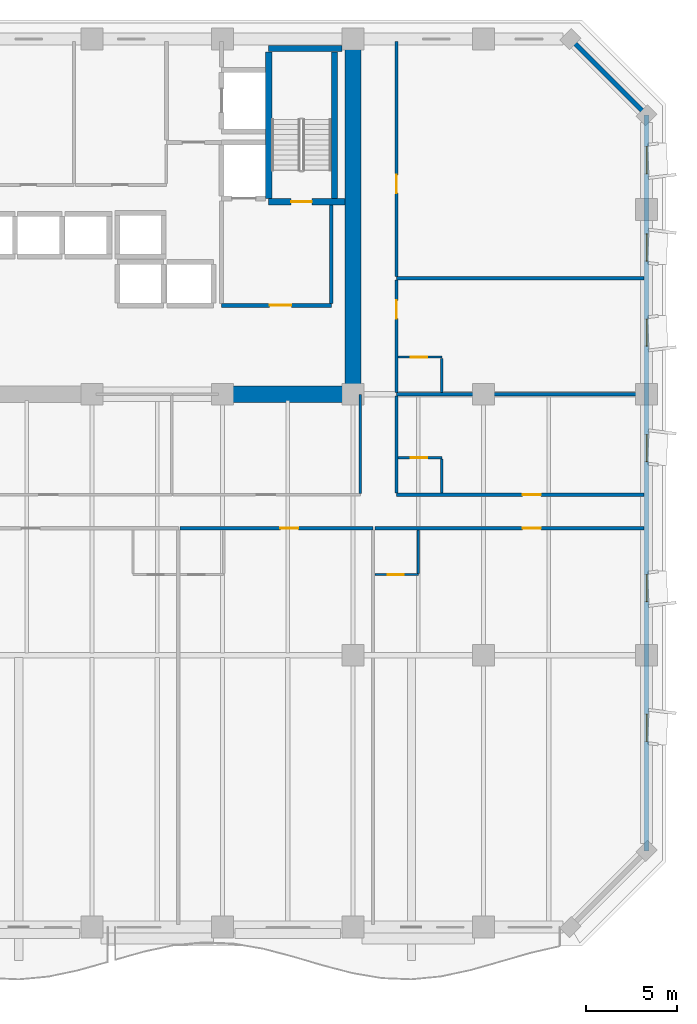
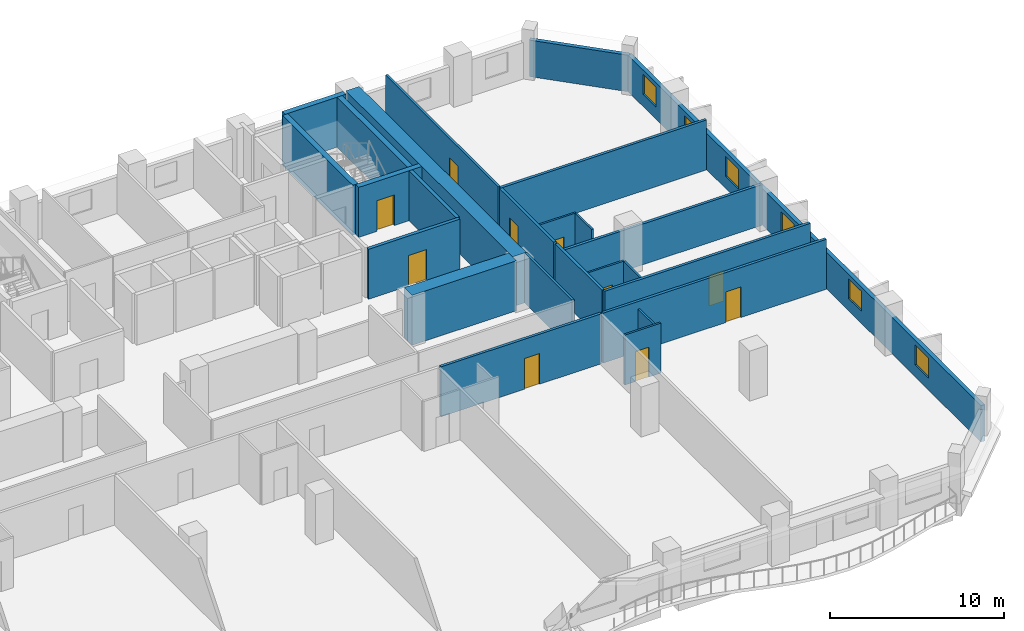
# One storey, part 10 of 15: 25 walls, 10 doors, 6 windows, 16 openings.
"""IFC4 building model written with IfcOpenShell, lengths in metres."""

from ifc_helpers import new_model, si_unit, direction, frame, frame_2d, origin, place, context, subcontext, project, spatial, rectangle, extrude, material, layer, layer_set, type_object, element, fill, save


model = new_model("IFC4")

# Units and contexts
model_context = context("Model", 3, precision=1e-05, world=origin(), true_north=direction((0.0, 1.0)))
body_context = subcontext(model_context, "Body", "Model", "MODEL_VIEW")
ifc_project = project(units=[si_unit("LENGTHUNIT", "METRE"), si_unit("AREAUNIT", "SQUARE_METRE"), si_unit("VOLUMEUNIT", "CUBIC_METRE"), si_unit("PLANEANGLEUNIT", "RADIAN"), si_unit("MASSUNIT", "GRAM", prefix="KILO")], contexts=[model_context])

# Site, building, storey
site_placement = place(None, origin())
site = spatial("IfcSite", under=ifc_project, at=site_placement, CompositionType="ELEMENT")
building_placement = place(site_placement, origin())
building = spatial("IfcBuilding", under=site, at=building_placement, Name="Kaelvorn Grand Hotel", CompositionType="ELEMENT")
storey_placement = place(building_placement, frame((0.0, 0.0, 104.300048828125)))
storey = spatial("IfcBuildingStorey", under=building, at=storey_placement, Name="L24", CompositionType="ELEMENT", Elevation=104.300048828125)

# Walls
ifc_material_1 = material(Name="Concrete C60/75", Category="concrete")
ifc_layer_1 = layer(ifc_material_1, 0.89990234375)
ifc_layer_set_1 = layer_set([ifc_layer_1], Name="Concrete C60/75")
wall_type_1 = type_object("IfcWallType", Name="WL-CORE-900-C60", PredefinedType="SHEAR", material=ifc_layer_set_1)
wall_1_placement = place(storey_placement, frame((67.800048828125, 29.39990234375, 0.0), z_axis=(0.0, 0.0, 1.0), x_axis=(0.0, 1.0, 0.0)))
element("IfcWall", 1, at=wall_1_placement, inside=storey, type_object=wall_type_1, Name="L24 Rear-Core East Shear Wall", PredefinedType="SHEAR", context=body_context, shape_type="SweptSolid", body=[
    extrude(rectangle(XDim=19.2001953125, YDim=0.89990234375, at=frame_2d((9.60009765625, 0.0))), origin(), (0.0, 0.0, 1.0), 3.510009765625),
])
wall_2_placement = place(storey_placement, frame((60.39990234375, 29.39990234375, 0.0), z_axis=(0.0, 0.0, 1.0), x_axis=(1.0, 0.0, 0.0)))
element("IfcWall", 2, at=wall_2_placement, inside=storey, type_object=wall_type_1, Name="L24 Rear-Core Coupled Shear Pier S4", PredefinedType="SHEAR", context=body_context, shape_type="SweptSolid", body=[
    extrude(rectangle(XDim=6.945068359375, YDim=0.89990234375, at=frame_2d((3.47265625, 0.0))), origin(), (0.0, 0.0, 1.0), 3.510009765625),
])

# Wall, openings, windows
ifc_material_2 = material(Name="Concrete C40/50", Category="concrete")
ifc_layer_2 = layer(ifc_material_2, 0.260009765625)
ifc_layer_set_2 = layer_set([ifc_layer_2], Name="Concrete C40/50")
wall_type_2 = type_object("IfcWallType", Name="WL-EXT-260-C40", PredefinedType="SOLIDWALL", material=ifc_layer_set_2)
wall_3_placement = place(storey_placement, frame((84.0, 4.199951171875, 0.0), z_axis=(0.0, 0.0, 1.0), x_axis=(0.0, 1.0, 0.0)))
wall_3 = element("IfcWall", 3, at=wall_3_placement, inside=storey, type_object=wall_type_2, Name="L24 Exterior Architectural Concrete Wall 03", PredefinedType="SOLIDWALL", context=body_context, shape_type="SweptSolid", body=[
    extrude(rectangle(XDim=40.60009765625, YDim=0.260009765625, at=frame_2d((20.300048828125, 0.0))), origin(), (0.0, 0.0, 1.0), 2.56005859375),
])
opening_1_placement = place(wall_3_placement, frame((6.050048828125, 0.0, 0.85009765625)))
opening_1 = element("IfcOpeningElement", 4, at=opening_1_placement, cuts=wall_3, Name="Opening W10", PredefinedType="OPENING", context=body_context, shape_type="SweptSolid", body=[
    extrude(rectangle(XDim=1.5, YDim=1.39990234375, at=frame_2d((0.75, 0.699951171875))), frame((0.0, 0.14013671875, 0.0), z_axis=(0.0, -1.0, 0.0), x_axis=(1.0, 0.0, 0.0)), (0.0, 0.0, 1.0), 0.280029296875),
])
opening_2_placement = place(wall_3_placement, frame((13.75, 0.0, 0.85009765625)))
opening_2 = element("IfcOpeningElement", 5, at=opening_2_placement, cuts=wall_3, Name="Opening W10", PredefinedType="OPENING", context=body_context, shape_type="SweptSolid", body=[
    extrude(rectangle(XDim=1.5, YDim=1.39990234375, at=frame_2d((0.75, 0.699951171875))), frame((0.0, 0.14013671875, 0.0), z_axis=(0.0, -1.0, 0.0), x_axis=(1.0, 0.0, 0.0)), (0.0, 0.0, 1.0), 0.280029296875),
])
opening_3_placement = place(wall_3_placement, frame((21.47509765625, 0.0, 0.85009765625)))
opening_3 = element("IfcOpeningElement", 6, at=opening_3_placement, cuts=wall_3, Name="Opening W10", PredefinedType="OPENING", context=body_context, shape_type="SweptSolid", body=[
    extrude(rectangle(XDim=1.5, YDim=1.39990234375, at=frame_2d((0.75, 0.699951171875))), frame((0.0, 0.14013671875, 0.0), z_axis=(0.0, -1.0, 0.0), x_axis=(1.0, 0.0, 0.0)), (0.0, 0.0, 1.0), 0.280029296875),
])
opening_4_placement = place(wall_3_placement, frame((27.85009765625, 0.0, 0.85009765625)))
opening_4 = element("IfcOpeningElement", 7, at=opening_4_placement, cuts=wall_3, Name="Opening W10", PredefinedType="OPENING", context=body_context, shape_type="SweptSolid", body=[
    extrude(rectangle(XDim=1.5, YDim=1.39990234375, at=frame_2d((0.75, 0.699951171875))), frame((0.0, 0.14013671875, 0.0), z_axis=(0.0, -1.0, 0.0), x_axis=(1.0, 0.0, 0.0)), (0.0, 0.0, 1.0), 0.280029296875),
])
opening_5_placement = place(wall_3_placement, frame((32.550048828125, 0.0, 0.85009765625)))
opening_5 = element("IfcOpeningElement", 8, at=opening_5_placement, cuts=wall_3, Name="Opening W10", PredefinedType="OPENING", context=body_context, shape_type="SweptSolid", body=[
    extrude(rectangle(XDim=1.5, YDim=1.39990234375, at=frame_2d((0.75, 0.699951171875))), frame((0.0, 0.14013671875, 0.0), z_axis=(0.0, -1.0, 0.0), x_axis=(1.0, 0.0, 0.0)), (0.0, 0.0, 1.0), 0.280029296875),
])
opening_6_placement = place(wall_3_placement, frame((37.364990234375, 0.0, 0.85009765625)))
opening_6 = element("IfcOpeningElement", 9, at=opening_6_placement, cuts=wall_3, Name="Opening W10", PredefinedType="OPENING", context=body_context, shape_type="SweptSolid", body=[
    extrude(rectangle(XDim=1.5, YDim=1.39990234375, at=frame_2d((0.75, 0.699951171875))), frame((0.0, 0.14013671875, 0.0), z_axis=(0.0, -1.0, 0.0), x_axis=(1.0, 0.0, 0.0)), (0.0, 0.0, 1.0), 0.280029296875),
])
ifc_material_3 = material(Name="Laminated Low-E Glass", Category="glass")
window_type = type_object("IfcWindowType", Name="WIN-COR-1500x1400", PartitioningType="SINGLE_PANEL", PredefinedType="WINDOW", material=ifc_material_3)
window_1_placement = place(opening_1_placement, origin())
window_1 = element("IfcWindow", 10, at=window_1_placement, inside=storey, type_object=window_type, Name="L24 E Wing Tilted-Frame Ribbon Window E01", OverallHeight=1.39990234375, OverallWidth=1.5, PartitioningType="SINGLE_PANEL", PredefinedType="WINDOW", context=body_context, shape_type="SweptSolid", body=[
    extrude(rectangle(XDim=1.5, YDim=1.39990234375, at=frame_2d((0.75, 0.699951171875))), frame((0.0, 0.030029296875, 0.0), z_axis=(0.0, -1.0, 0.0), x_axis=(1.0, 0.0, 0.0)), (0.0, 0.0, 1.0), 0.06005859375),
])
fill(opening_1, window_1)
window_2_placement = place(opening_2_placement, origin())
window_2 = element("IfcWindow", 11, at=window_2_placement, inside=storey, type_object=window_type, Name="L24 E Wing Tilted-Frame Ribbon Window E02", OverallHeight=1.39990234375, OverallWidth=1.5, PartitioningType="SINGLE_PANEL", PredefinedType="WINDOW", context=body_context, shape_type="SweptSolid", body=[
    extrude(rectangle(XDim=1.5, YDim=1.39990234375, at=frame_2d((0.75, 0.699951171875))), frame((0.0, 0.030029296875, 0.0), z_axis=(0.0, -1.0, 0.0), x_axis=(1.0, 0.0, 0.0)), (0.0, 0.0, 1.0), 0.06005859375),
])
fill(opening_2, window_2)
window_3_placement = place(opening_3_placement, origin())
window_3 = element("IfcWindow", 12, at=window_3_placement, inside=storey, type_object=window_type, Name="L24 E Wing Tilted-Frame Ribbon Window E03", OverallHeight=1.39990234375, OverallWidth=1.5, PartitioningType="SINGLE_PANEL", PredefinedType="WINDOW", context=body_context, shape_type="SweptSolid", body=[
    extrude(rectangle(XDim=1.5, YDim=1.39990234375, at=frame_2d((0.75, 0.699951171875))), frame((0.0, 0.030029296875, 0.0), z_axis=(0.0, -1.0, 0.0), x_axis=(1.0, 0.0, 0.0)), (0.0, 0.0, 1.0), 0.06005859375),
])
fill(opening_3, window_3)
window_4_placement = place(opening_4_placement, origin())
window_4 = element("IfcWindow", 13, at=window_4_placement, inside=storey, type_object=window_type, Name="L24 E Wing Tilted-Frame Ribbon Window E04", OverallHeight=1.39990234375, OverallWidth=1.5, PartitioningType="SINGLE_PANEL", PredefinedType="WINDOW", context=body_context, shape_type="SweptSolid", body=[
    extrude(rectangle(XDim=1.5, YDim=1.39990234375, at=frame_2d((0.75, 0.699951171875))), frame((0.0, 0.030029296875, 0.0), z_axis=(0.0, -1.0, 0.0), x_axis=(1.0, 0.0, 0.0)), (0.0, 0.0, 1.0), 0.06005859375),
])
fill(opening_4, window_4)
window_5_placement = place(opening_5_placement, origin())
window_5 = element("IfcWindow", 14, at=window_5_placement, inside=storey, type_object=window_type, Name="L24 E Wing Tilted-Frame Ribbon Window E05", OverallHeight=1.39990234375, OverallWidth=1.5, PartitioningType="SINGLE_PANEL", PredefinedType="WINDOW", context=body_context, shape_type="SweptSolid", body=[
    extrude(rectangle(XDim=1.5, YDim=1.39990234375, at=frame_2d((0.75, 0.699951171875))), frame((0.0, 0.030029296875, 0.0), z_axis=(0.0, -1.0, 0.0), x_axis=(1.0, 0.0, 0.0)), (0.0, 0.0, 1.0), 0.06005859375),
])
fill(opening_5, window_5)
window_6_placement = place(opening_6_placement, origin())
window_6 = element("IfcWindow", 15, at=window_6_placement, inside=storey, type_object=window_type, Name="L24 E Wing Tilted-Frame Ribbon Window E06", OverallHeight=1.39990234375, OverallWidth=1.5, PartitioningType="SINGLE_PANEL", PredefinedType="WINDOW", context=body_context, shape_type="SweptSolid", body=[
    extrude(rectangle(XDim=1.5, YDim=1.39990234375, at=frame_2d((0.75, 0.699951171875))), frame((0.0, 0.030029296875, 0.0), z_axis=(0.0, -1.0, 0.0), x_axis=(1.0, 0.0, 0.0)), (0.0, 0.0, 1.0), 0.06005859375),
])
fill(opening_6, window_6)

# Wall
wall_4_placement = place(storey_placement, frame((84.0, 44.800048828125, 0.0), z_axis=(0.0, 0.0, 1.0), x_axis=(-0.707106781187, 0.707106781187, 0.0)))
element("IfcWall", 16, at=wall_4_placement, inside=storey, type_object=wall_type_2, Name="L24 Exterior Architectural Concrete Wall 04", PredefinedType="SOLIDWALL", context=body_context, shape_type="SweptSolid", body=[
    extrude(rectangle(XDim=5.939697265625, YDim=0.260009765625, at=frame_2d((2.9697265625, 0.0))), origin(), (0.0, 0.0, 1.0), 2.56005859375),
])

# Wall, opening, door
ifc_material_4 = material(Name="Moisture-Resistant Tile & Stud Board")
ifc_layer_3 = layer(ifc_material_4, 0.125)
ifc_layer_set_3 = layer_set([ifc_layer_3], Name="Moisture-Resistant Tile & Stud Board")
wall_type_3 = type_object("IfcWallType", Name="WL-PART-125-WET", PredefinedType="PARTITIONING", material=ifc_layer_set_3)
wall_5_placement = place(storey_placement, frame((69.00244140625, 19.449951171875, 0.0), z_axis=(0.0, 0.0, 1.0), x_axis=(1.0, 0.0, 0.0)))
wall_5 = element("IfcWall", 17, at=wall_5_placement, inside=storey, type_object=wall_type_3, Name="L24 En-suite Bathroom L24-07 S Partition", PredefinedType="PARTITIONING", context=body_context, shape_type="SweptSolid", body=[
    extrude(rectangle(XDim=2.405029296875, YDim=0.125, at=frame_2d((1.20263671875, 0.0))), origin(), (0.0, 0.0, 1.0), 3.510009765625),
])
opening_7_placement = place(wall_5_placement, frame((0.705078125, 0.0, 0.0)))
opening_7 = element("IfcOpeningElement", 18, at=opening_7_placement, cuts=wall_5, Name="Opening DI4", PredefinedType="OPENING", context=body_context, shape_type="SweptSolid", body=[
    extrude(rectangle(XDim=0.89990234375, YDim=2.10009765625, at=frame_2d((0.449951171875, 1.050048828125))), frame((0.0, 0.072509765625, 0.0), z_axis=(0.0, -1.0, 0.0), x_axis=(1.0, 0.0, 0.0)), (0.0, 0.0, 1.0), 0.14501953125),
])
ifc_material_5 = material(Name="Timber Veneer Leaf", Category="wood")
door_type_1 = type_object("IfcDoorType", Name="DR-INT-BATH-900x2100", OperationType="NOTDEFINED", PredefinedType="DOOR", material=ifc_material_5)
door_1_placement = place(opening_7_placement, origin())
door_1 = element("IfcDoor", 19, at=door_1_placement, inside=storey, type_object=door_type_1, Name="L24 En-suite Bathroom L24-07 Door", OperationType="SINGLE_SWING_LEFT", OverallHeight=2.10009765625, OverallWidth=0.89990234375, PredefinedType="DOOR", context=body_context, shape_type="SweptSolid", body=[
    extrude(rectangle(XDim=0.89990234375, YDim=2.10009765625, at=frame_2d((0.449951171875, 1.050048828125))), frame((0.0, 0.02490234375, 0.0), z_axis=(0.0, -1.0, 0.0), x_axis=(1.0, 0.0, 0.0)), (0.0, 0.0, 1.0), 0.050048828125),
])
fill(opening_7, door_1)

# Wall
wall_6_placement = place(storey_placement, frame((71.407470703125, 19.517578125, 0.0), z_axis=(0.0, 0.0, 1.0), x_axis=(0.0, 1.0, 0.0)))
element("IfcWall", 20, at=wall_6_placement, inside=storey, type_object=wall_type_3, Name="L24 En-suite Bathroom L24-07 E Partition", PredefinedType="PARTITIONING", context=body_context, shape_type="SweptSolid", body=[
    extrude(rectangle(XDim=2.387451171875, YDim=0.125, at=frame_2d((1.19384765625, 0.0))), origin(), (0.0, 0.0, 1.0), 2.976806640625),
])

# Wall, opening, door
wall_7_placement = place(storey_placement, frame((70.294921875, 25.89990234375, 0.0), z_axis=(0.0, 0.0, 1.0), x_axis=(1.0, 0.0, 0.0)))
wall_7 = element("IfcWall", 21, at=wall_7_placement, inside=storey, type_object=wall_type_3, Name="L24 En-suite Bathroom L24-09 N Partition", PredefinedType="PARTITIONING", context=body_context, shape_type="SweptSolid", body=[
    extrude(rectangle(XDim=2.405029296875, YDim=0.125, at=frame_2d((1.20263671875, 0.0))), origin(), (0.0, 0.0, 1.0), 3.510009765625),
])
opening_8_placement = place(wall_7_placement, frame((0.705078125, 0.0, 0.0)))
opening_8 = element("IfcOpeningElement", 22, at=opening_8_placement, cuts=wall_7, Name="Opening DI4", PredefinedType="OPENING", context=body_context, shape_type="SweptSolid", body=[
    extrude(rectangle(XDim=0.89990234375, YDim=2.10009765625, at=frame_2d((0.449951171875, 1.050048828125))), frame((0.0, 0.072509765625, 0.0), z_axis=(0.0, -1.0, 0.0), x_axis=(1.0, 0.0, 0.0)), (0.0, 0.0, 1.0), 0.14501953125),
])
door_2_placement = place(opening_8_placement, origin())
door_2 = element("IfcDoor", 23, at=door_2_placement, inside=storey, type_object=door_type_1, Name="L24 En-suite Bathroom L24-09 Door", OperationType="SINGLE_SWING_LEFT", OverallHeight=2.10009765625, OverallWidth=0.89990234375, PredefinedType="DOOR", context=body_context, shape_type="SweptSolid", body=[
    extrude(rectangle(XDim=0.89990234375, YDim=2.10009765625, at=frame_2d((0.449951171875, 1.050048828125))), frame((0.0, 0.02490234375, 0.0), z_axis=(0.0, -1.0, 0.0), x_axis=(1.0, 0.0, 0.0)), (0.0, 0.0, 1.0), 0.050048828125),
])
fill(opening_8, door_2)

# Wall
wall_8_placement = place(storey_placement, frame((72.699951171875, 23.945068359375, 0.0), z_axis=(0.0, 0.0, 1.0), x_axis=(0.0, 1.0, 0.0)))
element("IfcWall", 24, at=wall_8_placement, inside=storey, type_object=wall_type_3, Name="L24 En-suite Bathroom L24-09 E Partition", PredefinedType="PARTITIONING", context=body_context, shape_type="SweptSolid", body=[
    extrude(rectangle(XDim=1.887451171875, YDim=0.125, at=frame_2d((0.94384765625, 0.0))), origin(), (0.0, 0.0, 1.0), 3.510009765625),
])

# Wall, opening, door
wall_9_placement = place(storey_placement, frame((70.294921875, 31.449951171875, 0.0), z_axis=(0.0, 0.0, 1.0), x_axis=(1.0, 0.0, 0.0)))
wall_9 = element("IfcWall", 25, at=wall_9_placement, inside=storey, type_object=wall_type_3, Name="L24 En-suite Bathroom L24-11 N Partition", PredefinedType="PARTITIONING", context=body_context, shape_type="SweptSolid", body=[
    extrude(rectangle(XDim=2.405029296875, YDim=0.125, at=frame_2d((1.20263671875, 0.0))), origin(), (0.0, 0.0, 1.0), 3.510009765625),
])
opening_9_placement = place(wall_9_placement, frame((0.705078125, 0.0, 0.0)))
opening_9 = element("IfcOpeningElement", 26, at=opening_9_placement, cuts=wall_9, Name="Opening DI4", PredefinedType="OPENING", context=body_context, shape_type="SweptSolid", body=[
    extrude(rectangle(XDim=0.89990234375, YDim=2.10009765625, at=frame_2d((0.449951171875, 1.050048828125))), frame((0.0, 0.072509765625, 0.0), z_axis=(0.0, -1.0, 0.0), x_axis=(1.0, 0.0, 0.0)), (0.0, 0.0, 1.0), 0.14501953125),
])
door_3_placement = place(opening_9_placement, origin())
door_3 = element("IfcDoor", 27, at=door_3_placement, inside=storey, type_object=door_type_1, Name="L24 En-suite Bathroom L24-11 Door", OperationType="SINGLE_SWING_RIGHT", OverallHeight=2.10009765625, OverallWidth=0.89990234375, PredefinedType="DOOR", context=body_context, shape_type="SweptSolid", body=[
    extrude(rectangle(XDim=0.89990234375, YDim=2.10009765625, at=frame_2d((0.449951171875, 1.050048828125))), frame((0.0, 0.02490234375, 0.0), z_axis=(0.0, -1.0, 0.0), x_axis=(1.0, 0.0, 0.0)), (0.0, 0.0, 1.0), 0.050048828125),
])
fill(opening_9, door_3)

# Walls
wall_10_placement = place(storey_placement, frame((72.699951171875, 29.4951171875, 0.0), z_axis=(0.0, 0.0, 1.0), x_axis=(0.0, 1.0, 0.0)))
element("IfcWall", 28, at=wall_10_placement, inside=storey, type_object=wall_type_3, Name="L24 En-suite Bathroom L24-11 E Partition", PredefinedType="PARTITIONING", context=body_context, shape_type="SweptSolid", body=[
    extrude(rectangle(XDim=1.887451171875, YDim=0.125, at=frame_2d((0.94384765625, 0.0))), origin(), (0.0, 0.0, 1.0), 3.510009765625),
])
ifc_material_6 = material(Name="Acoustic Gypsum & Stud Partition")
ifc_layer_4 = layer(ifc_material_6, 0.14990234375)
ifc_layer_set_4 = layer_set([ifc_layer_4], Name="Acoustic Gypsum & Stud Partition")
wall_type_4 = type_object("IfcWallType", Name="WL-PART-150-EI60", PredefinedType="PARTITIONING", material=ifc_layer_set_4)
wall_11_placement = place(storey_placement, frame((68.199951171875, 23.929931640625, 0.0), z_axis=(0.0, 0.0, 1.0), x_axis=(0.0, 1.0, 0.0)))
element("IfcWall", 29, at=wall_11_placement, inside=storey, type_object=wall_type_4, Name="L24 Executive Law Office E Partition", PredefinedType="PARTITIONING", context=body_context, shape_type="SweptSolid", body=[
    extrude(rectangle(XDim=5.4599609375, YDim=0.14990234375, at=frame_2d((2.72998046875, 0.0))), origin(), (0.0, 0.0, 1.0), 3.510009765625),
])

# Wall, opening, door
wall_12_placement = place(storey_placement, frame((70.199951171875, 35.89501953125, 0.0), z_axis=(0.0, 0.0, 1.0), x_axis=(0.0, 1.0, 0.0)))
wall_12 = element("IfcWall", 30, at=wall_12_placement, inside=storey, type_object=wall_type_4, Name="L24 North-East Summit Conference Room W Partition", PredefinedType="PARTITIONING", context=body_context, shape_type="SweptSolid", body=[
    extrude(rectangle(XDim=12.955078125, YDim=0.14990234375, at=frame_2d((6.4775390625, 0.0))), origin(), (0.0, 0.0, 1.0), 3.510009765625),
])
opening_10_placement = place(wall_12_placement, frame((4.60498046875, 0.0, 0.0)))
opening_10 = element("IfcOpeningElement", 31, at=opening_10_placement, cuts=wall_12, Name="Opening DI3", PredefinedType="OPENING", context=body_context, shape_type="SweptSolid", body=[
    extrude(rectangle(XDim=1.0, YDim=2.14990234375, at=frame_2d((0.5, 1.074951171875))), frame((0.0, 0.0849609375, 0.0), z_axis=(0.0, -1.0, 0.0), x_axis=(1.0, 0.0, 0.0)), (0.0, 0.0, 1.0), 0.169921875),
])
ifc_material_7 = material(Name="Timber Veneer Fire Leaf", Category="wood")
door_type_2 = type_object("IfcDoorType", Name="DR-INT-GUEST-1000x2150", OperationType="NOTDEFINED", PredefinedType="DOOR", material=ifc_material_7)
door_4_placement = place(opening_10_placement, origin())
door_4 = element("IfcDoor", 32, at=door_4_placement, inside=storey, type_object=door_type_2, Name="L24 North-East Summit Conference Room Door", OperationType="SINGLE_SWING_LEFT", OverallHeight=2.14990234375, OverallWidth=1.0, PredefinedType="DOOR", context=body_context, shape_type="SweptSolid", body=[
    extrude(rectangle(XDim=1.0, YDim=2.14990234375, at=frame_2d((0.5, 1.074951171875))), frame((0.0, 0.02490234375, 0.0), z_axis=(0.0, -1.0, 0.0), x_axis=(1.0, 0.0, 0.0)), (0.0, 0.0, 1.0), 0.050048828125),
])
fill(opening_10, door_4)

ifc_layer_5 = layer(ifc_material_6, 0.179931640625)
ifc_layer_set_5 = layer_set([ifc_layer_5], Name="Acoustic Gypsum & Stud Partition")
wall_type_5 = type_object("IfcWallType", Name="WL-PART-180-EI60", PredefinedType="PARTITIONING", material=ifc_layer_set_5)
wall_13_placement = place(storey_placement, frame((58.259521484375, 22.0, 0.0), z_axis=(0.0, 0.0, 1.0), x_axis=(1.0, 0.0, 0.0)))
wall_13 = element("IfcWall", 33, at=wall_13_placement, inside=storey, type_object=wall_type_5, Name="L24 Deluxe Panoramic Suite L24-06 N Partition", PredefinedType="PARTITIONING", context=body_context, shape_type="SweptSolid", body=[
    extrude(rectangle(XDim=10.64794921875, YDim=0.179931640625, at=frame_2d((5.323974609375, 0.0))), origin(), (0.0, 0.0, 1.0), 3.510009765625),
])
opening_11_placement = place(wall_13_placement, frame((5.53271484375, 0.0, 0.0)))
opening_11 = element("IfcOpeningElement", 34, at=opening_11_placement, cuts=wall_13, Name="Opening DI3", PredefinedType="OPENING", context=body_context, shape_type="SweptSolid", body=[
    extrude(rectangle(XDim=1.0, YDim=2.14990234375, at=frame_2d((0.5, 1.074951171875))), frame((0.0, 0.10009765625, 0.0), z_axis=(0.0, -1.0, 0.0), x_axis=(1.0, 0.0, 0.0)), (0.0, 0.0, 1.0), 0.199951171875),
])
door_5_placement = place(opening_11_placement, origin())
door_5 = element("IfcDoor", 35, at=door_5_placement, inside=storey, type_object=door_type_2, Name="L24 Deluxe Panoramic Suite L24-06 Door", OperationType="SINGLE_SWING_RIGHT", OverallHeight=2.14990234375, OverallWidth=1.0, PredefinedType="DOOR", context=body_context, shape_type="SweptSolid", body=[
    extrude(rectangle(XDim=1.0, YDim=2.14990234375, at=frame_2d((0.5, 1.074951171875))), frame((0.0, 0.02490234375, 0.0), z_axis=(0.0, -1.0, 0.0), x_axis=(1.0, 0.0, 0.0)), (0.0, 0.0, 1.0), 0.050048828125),
])
fill(opening_11, door_5)

wall_14_placement = place(storey_placement, frame((69.00244140625, 22.0, 0.0), z_axis=(0.0, 0.0, 1.0), x_axis=(1.0, 0.0, 0.0)))
wall_14 = element("IfcWall", 36, at=wall_14_placement, inside=storey, type_object=wall_type_5, Name="L24 Presidential Sky Suite L24-07 N Partition", PredefinedType="PARTITIONING", context=body_context, shape_type="SweptSolid", body=[
    extrude(rectangle(XDim=14.84765625, YDim=0.179931640625, at=frame_2d((7.423828125, 0.0))), origin(), (0.0, 0.0, 1.0), 3.510009765625),
])
opening_12_placement = place(wall_14_placement, frame((8.16259765625, 0.0, 0.0)))
opening_12 = element("IfcOpeningElement", 37, at=opening_12_placement, cuts=wall_14, Name="Opening DI3", PredefinedType="OPENING", context=body_context, shape_type="SweptSolid", body=[
    extrude(rectangle(XDim=1.0, YDim=2.14990234375, at=frame_2d((0.5, 1.074951171875))), frame((0.0, 0.10009765625, 0.0), z_axis=(0.0, -1.0, 0.0), x_axis=(1.0, 0.0, 0.0)), (0.0, 0.0, 1.0), 0.199951171875),
])
door_6_placement = place(opening_12_placement, origin())
door_6 = element("IfcDoor", 38, at=door_6_placement, inside=storey, type_object=door_type_2, Name="L24 Presidential Sky Suite L24-07 Door", OperationType="SINGLE_SWING_RIGHT", OverallHeight=2.14990234375, OverallWidth=1.0, PredefinedType="DOOR", context=body_context, shape_type="SweptSolid", body=[
    extrude(rectangle(XDim=1.0, YDim=2.14990234375, at=frame_2d((0.5, 1.074951171875))), frame((0.0, 0.02490234375, 0.0), z_axis=(0.0, -1.0, 0.0), x_axis=(1.0, 0.0, 0.0)), (0.0, 0.0, 1.0), 0.050048828125),
])
fill(opening_12, door_6)

wall_15_placement = place(storey_placement, frame((70.199951171875, 23.85009765625, 0.0), z_axis=(0.0, 0.0, 1.0), x_axis=(1.0, 0.0, 0.0)))
wall_15 = element("IfcWall", 39, at=wall_15_placement, inside=storey, type_object=wall_type_5, Name="L24 East Chamfer Corner Suite L24-09 S Partition", PredefinedType="PARTITIONING", context=body_context, shape_type="SweptSolid", body=[
    extrude(rectangle(XDim=13.650146484375, YDim=0.179931640625, at=frame_2d((6.8251953125, 0.0))), origin(), (0.0, 0.0, 1.0), 3.510009765625),
])
opening_13_placement = place(wall_15_placement, frame((6.965087890625, 0.0, 0.0)))
opening_13 = element("IfcOpeningElement", 40, at=opening_13_placement, cuts=wall_15, Name="Opening DI3", PredefinedType="OPENING", context=body_context, shape_type="SweptSolid", body=[
    extrude(rectangle(XDim=1.0, YDim=2.14990234375, at=frame_2d((0.5, 1.074951171875))), frame((0.0, 0.10009765625, 0.0), z_axis=(0.0, -1.0, 0.0), x_axis=(1.0, 0.0, 0.0)), (0.0, 0.0, 1.0), 0.199951171875),
])
door_7_placement = place(opening_13_placement, origin())
door_7 = element("IfcDoor", 41, at=door_7_placement, inside=storey, type_object=door_type_2, Name="L24 East Chamfer Corner Suite L24-09 Door", OperationType="SINGLE_SWING_RIGHT", OverallHeight=2.14990234375, OverallWidth=1.0, PredefinedType="DOOR", context=body_context, shape_type="SweptSolid", body=[
    extrude(rectangle(XDim=1.0, YDim=2.14990234375, at=frame_2d((0.5, 1.074951171875))), frame((0.0, 0.02490234375, 0.0), z_axis=(0.0, -1.0, 0.0), x_axis=(1.0, 0.0, 0.0)), (0.0, 0.0, 1.0), 0.050048828125),
])
fill(opening_13, door_7)

# Walls
wall_16_placement = place(storey_placement, frame((70.199951171875, 29.39990234375, 0.0), z_axis=(0.0, 0.0, 1.0), x_axis=(1.0, 0.0, 0.0)))
element("IfcWall", 42, at=wall_16_placement, inside=storey, type_object=wall_type_5, Name="L24 East Chamfer Corner Suite L24-09 N Partition", PredefinedType="PARTITIONING", context=body_context, shape_type="SweptSolid", body=[
    extrude(rectangle(XDim=13.650146484375, YDim=0.179931640625, at=frame_2d((6.8251953125, 0.0))), origin(), (0.0, 0.0, 1.0), 2.85986328125),
])
wall_17_placement = place(storey_placement, frame((70.199951171875, 23.945068359375, 0.0), z_axis=(0.0, 0.0, 1.0), x_axis=(0.0, 1.0, 0.0)))
element("IfcWall", 43, at=wall_17_placement, inside=storey, type_object=wall_type_5, Name="L24 East Chamfer Corner Suite L24-09 W Partition", PredefinedType="PARTITIONING", context=body_context, shape_type="SweptSolid", body=[
    extrude(rectangle(XDim=5.35986328125, YDim=0.179931640625, at=frame_2d((2.679931640625, 0.0))), origin(), (0.0, 0.0, 1.0), 3.510009765625),
])
wall_18_placement = place(storey_placement, frame((70.199951171875, 35.800048828125, 0.0), z_axis=(0.0, 0.0, 1.0), x_axis=(1.0, 0.0, 0.0)))
element("IfcWall", 44, at=wall_18_placement, inside=storey, type_object=wall_type_5, Name="L24 North-East Wing Suite L24-11 N Partition", PredefinedType="PARTITIONING", context=body_context, shape_type="SweptSolid", body=[
    extrude(rectangle(XDim=13.650146484375, YDim=0.179931640625, at=frame_2d((6.8251953125, 0.0))), origin(), (0.0, 0.0, 1.0), 3.510009765625),
])

# Wall, opening, door
wall_19_placement = place(storey_placement, frame((70.199951171875, 29.4951171875, 0.0), z_axis=(0.0, 0.0, 1.0), x_axis=(0.0, 1.0, 0.0)))
wall_19 = element("IfcWall", 45, at=wall_19_placement, inside=storey, type_object=wall_type_5, Name="L24 North-East Wing Suite L24-11 W Partition", PredefinedType="PARTITIONING", context=body_context, shape_type="SweptSolid", body=[
    extrude(rectangle(XDim=6.2099609375, YDim=0.179931640625, at=frame_2d((3.10498046875, 0.0))), origin(), (0.0, 0.0, 1.0), 3.510009765625),
])
opening_14_placement = place(wall_19_placement, frame((4.080078125, 0.0, 0.0)))
opening_14 = element("IfcOpeningElement", 46, at=opening_14_placement, cuts=wall_19, Name="Opening DI3", PredefinedType="OPENING", context=body_context, shape_type="SweptSolid", body=[
    extrude(rectangle(XDim=1.0, YDim=2.14990234375, at=frame_2d((0.5, 1.074951171875))), frame((0.0, 0.10009765625, 0.0), z_axis=(0.0, -1.0, 0.0), x_axis=(1.0, 0.0, 0.0)), (0.0, 0.0, 1.0), 0.199951171875),
])
door_8_placement = place(opening_14_placement, origin())
door_8 = element("IfcDoor", 47, at=door_8_placement, inside=storey, type_object=door_type_2, Name="L24 North-East Wing Suite L24-11 Door", OperationType="SINGLE_SWING_LEFT", OverallHeight=2.14990234375, OverallWidth=1.0, PredefinedType="DOOR", context=body_context, shape_type="SweptSolid", body=[
    extrude(rectangle(XDim=1.0, YDim=2.14990234375, at=frame_2d((0.5, 1.074951171875))), frame((0.0, 0.02490234375, 0.0), z_axis=(0.0, -1.0, 0.0), x_axis=(1.0, 0.0, 0.0)), (0.0, 0.0, 1.0), 0.050048828125),
])
fill(opening_14, door_8)

ifc_layer_6 = layer(ifc_material_2, 0.219970703125)
ifc_layer_set_6 = layer_set([ifc_layer_6], Name="Concrete C40/50")
wall_type_6 = type_object("IfcWallType", Name="WL-PART-220-EI120", PredefinedType="PARTITIONING", material=ifc_layer_set_6)
wall_20_placement = place(storey_placement, frame((60.550048828125, 34.300048828125, 0.0), z_axis=(0.0, 0.0, 1.0), x_axis=(1.0, 0.0, 0.0)))
wall_20 = element("IfcWall", 48, at=wall_20_placement, inside=storey, type_object=wall_type_6, Name="L24 Firefighting Lift Lobby 2 S Partition", PredefinedType="PARTITIONING", context=body_context, shape_type="SweptSolid", body=[
    extrude(rectangle(XDim=6.050048828125, YDim=0.219970703125, at=frame_2d((3.02490234375, 0.0))), origin(), (0.0, 0.0, 1.0), 3.510009765625),
])
opening_15_placement = place(wall_20_placement, frame((2.64990234375, 0.0, 0.0)))
opening_15 = element("IfcOpeningElement", 49, at=opening_15_placement, cuts=wall_20, Name="Opening DI2", PredefinedType="OPENING", context=body_context, shape_type="SweptSolid", body=[
    extrude(rectangle(XDim=1.199951171875, YDim=2.14990234375, at=frame_2d((0.60009765625, 1.074951171875))), frame((0.0, 0.1201171875, 0.0), z_axis=(0.0, -1.0, 0.0), x_axis=(1.0, 0.0, 0.0)), (0.0, 0.0, 1.0), 0.239990234375),
])
door_type_3 = type_object("IfcDoorType", Name="DR-INT-FFLOB-1200x2150", OperationType="NOTDEFINED", PredefinedType="DOOR", material=ifc_material_7)
door_9_placement = place(opening_15_placement, origin())
door_9 = element("IfcDoor", 50, at=door_9_placement, inside=storey, type_object=door_type_3, Name="L24 Firefighting Lift Lobby 2 Door", OperationType="SINGLE_SWING_RIGHT", OverallHeight=2.14990234375, OverallWidth=1.199951171875, PredefinedType="DOOR", context=body_context, shape_type="SweptSolid", body=[
    extrude(rectangle(XDim=1.199951171875, YDim=2.14990234375, at=frame_2d((0.60009765625, 1.074951171875))), frame((0.0, 0.02490234375, 0.0), z_axis=(0.0, -1.0, 0.0), x_axis=(1.0, 0.0, 0.0)), (0.0, 0.0, 1.0), 0.050048828125),
])
fill(opening_15, door_9)

# Wall
wall_21_placement = place(storey_placement, frame((66.60009765625, 34.4150390625, 0.0), z_axis=(0.0, 0.0, 1.0), x_axis=(0.0, 1.0, 0.0)))
element("IfcWall", 51, at=wall_21_placement, inside=storey, type_object=wall_type_6, Name="L24 Firefighting Lift Lobby 2 E Partition", PredefinedType="PARTITIONING", context=body_context, shape_type="SweptSolid", body=[
    extrude(rectangle(XDim=5.429931640625, YDim=0.219970703125, at=frame_2d((2.71484375, 0.0))), origin(), (0.0, 0.0, 1.0), 3.510009765625),
])

# Wall, opening, door
ifc_layer_7 = layer(ifc_material_1, 0.35009765625)
ifc_layer_set_7 = layer_set([ifc_layer_7], Name="Concrete C60/75")
wall_type_7 = type_object("IfcWallType", Name="WL-SHAFT-350-C60", PredefinedType="SHEAR", material=ifc_layer_set_7)
wall_22_placement = place(storey_placement, frame((63.14501953125, 40.02490234375, 0.0), z_axis=(0.0, 0.0, 1.0), x_axis=(1.0, 0.0, 0.0)))
wall_22 = element("IfcWall", 52, at=wall_22_placement, inside=storey, type_object=wall_type_7, Name="L24 ST3 Stair Shaft South Wall", PredefinedType="SHEAR", context=body_context, shape_type="SweptSolid", body=[
    extrude(rectangle(XDim=4.199951171875, YDim=0.35009765625, at=frame_2d((2.10009765625, 0.0))), origin(), (0.0, 0.0, 1.0), 3.510009765625),
])
opening_16_placement = place(wall_22_placement, frame((1.239990234375, 0.0, 0.0)))
opening_16 = element("IfcOpeningElement", 53, at=opening_16_placement, cuts=wall_22, Name="Opening DI1", PredefinedType="OPENING", context=body_context, shape_type="SweptSolid", body=[
    extrude(rectangle(XDim=1.14990234375, YDim=2.14990234375, at=frame_2d((0.574951171875, 1.074951171875))), frame((0.0, 0.18505859375, 0.0), z_axis=(0.0, -1.0, 0.0), x_axis=(1.0, 0.0, 0.0)), (0.0, 0.0, 1.0), 0.3701171875),
])
door_type_4 = type_object("IfcDoorType", Name="DR-INT-STAIR-1150x2150", OperationType="NOTDEFINED", PredefinedType="DOOR", material=ifc_material_7)
door_10_placement = place(opening_16_placement, origin())
door_10 = element("IfcDoor", 54, at=door_10_placement, inside=storey, type_object=door_type_4, Name="L24 ST3 Exit Stair Fire Door", OperationType="SINGLE_SWING_RIGHT", OverallHeight=2.14990234375, OverallWidth=1.14990234375, PredefinedType="DOOR", context=body_context, shape_type="SweptSolid", body=[
    extrude(rectangle(XDim=1.14990234375, YDim=2.14990234375, at=frame_2d((0.574951171875, 1.074951171875))), frame((0.0, 0.02490234375, 0.0), z_axis=(0.0, -1.0, 0.0), x_axis=(1.0, 0.0, 0.0)), (0.0, 0.0, 1.0), 0.050048828125),
])
fill(opening_16, door_10)

# Walls
wall_23_placement = place(storey_placement, frame((63.14501953125, 48.47509765625, 0.0), z_axis=(0.0, 0.0, 1.0), x_axis=(1.0, 0.0, 0.0)))
element("IfcWall", 55, at=wall_23_placement, inside=storey, type_object=wall_type_7, Name="L24 ST3 Stair Shaft North Wall", PredefinedType="SHEAR", context=body_context, shape_type="SweptSolid", body=[
    extrude(rectangle(XDim=4.050048828125, YDim=0.35009765625, at=frame_2d((2.02490234375, 0.0))), origin(), (0.0, 0.0, 1.0), 3.510009765625),
])
for number, where, z_axis, x_axis, name in (
    (56, (63.14501953125, 40.205078125, 0.0), (0.0, 0.0, 1.0), (0.0, 1.0, 0.0), "L24 ST3 Stair Shaft West Wall"),
    (57, (66.77490234375, 40.205078125, 0.0), (0.0, 0.0, 1.0), (0.0, 1.0, 0.0), "L24 ST3 Stair Shaft East Wall"),
):
    element("IfcWall", number, at=place(storey_placement, frame(where, z_axis=z_axis, x_axis=x_axis)), inside=storey, type_object=wall_type_7, Name=name, PredefinedType="SHEAR", context=body_context, shape_type="SweptSolid", body=[
        extrude(rectangle(XDim=8.08984375, YDim=0.35009765625, at=frame_2d((4.044921875, 0.0))), origin(), (0.0, 0.0, 1.0), 3.510009765625),
    ])

save(model, "model.ifc")
